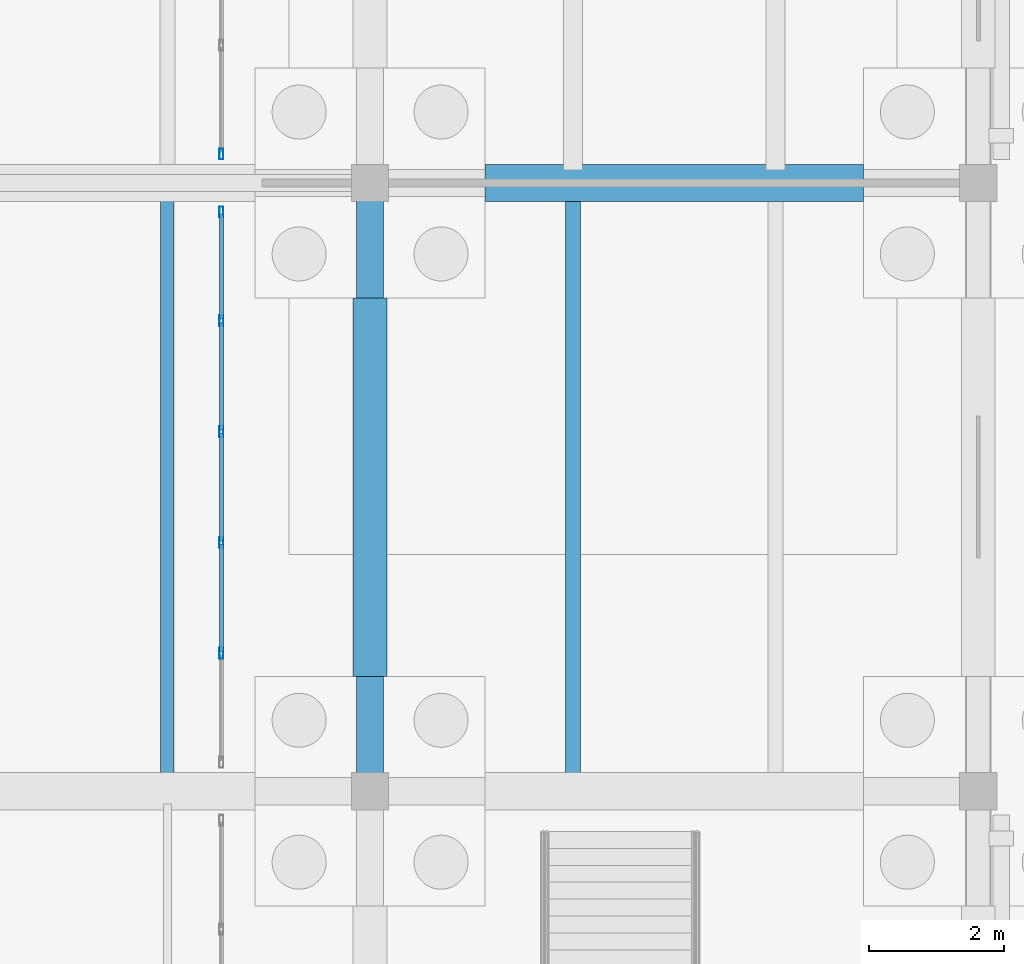
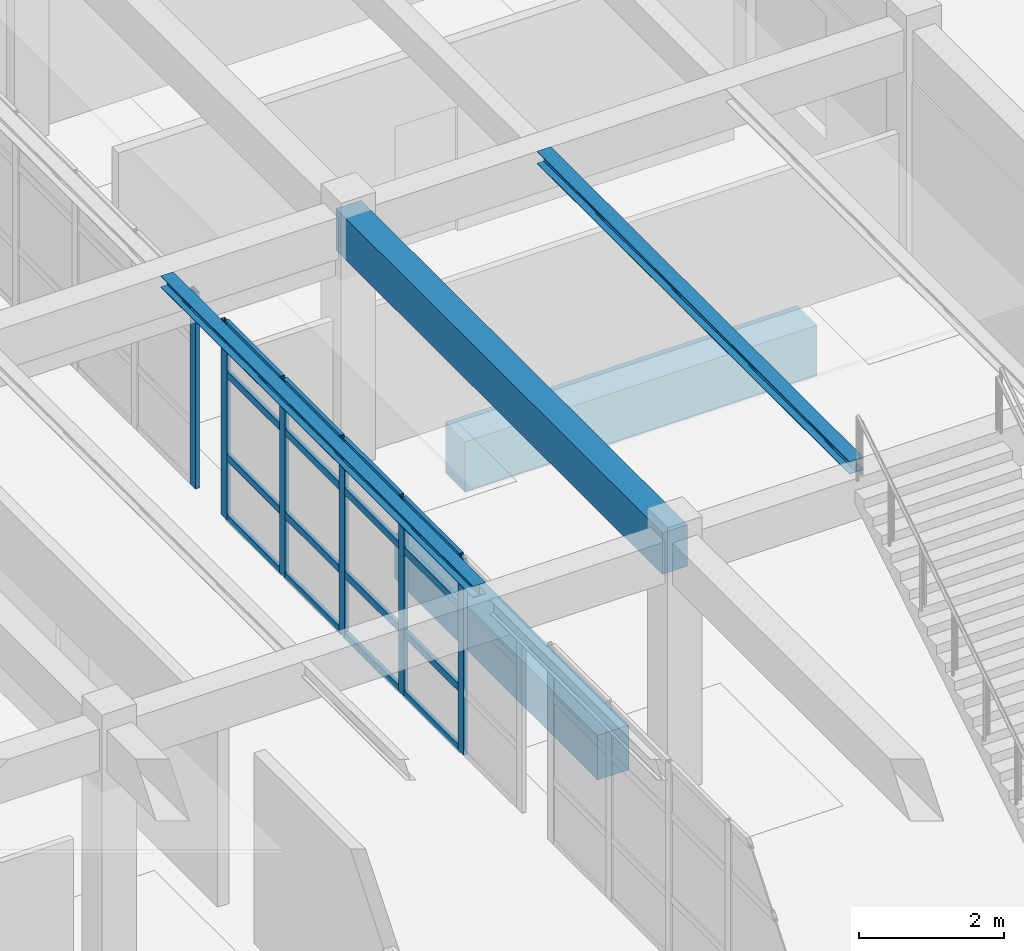
# One storey, part 49 of 186: 22 members, 5 beams, 2 elements without a shape of their own.
"""IFC4 building model written with IfcOpenShell, lengths in metres."""

from ifc_helpers import new_model, si_unit, direction, frame, origin, origin_2d, place, context, subcontext, project, spatial, rectangle, hollow_rectangle, i_section, extrude, material, layer, layer_set, material_profile, profile_set, type_object, element, aggregate, save


model = new_model("IFC4")

# Units and contexts
model_context = context("Model", 3, precision=1e-05, world=origin(), true_north=direction((0.0, 1.0)))
body_context = subcontext(model_context, "Body", "Model", "MODEL_VIEW")
ifc_project = project(units=[si_unit("LENGTHUNIT", "METRE"), si_unit("AREAUNIT", "SQUARE_METRE"), si_unit("VOLUMEUNIT", "CUBIC_METRE"), si_unit("PLANEANGLEUNIT", "RADIAN"), si_unit("MASSUNIT", "GRAM", prefix="KILO")], contexts=[model_context])

# Site, building, storey
site_placement = place(None, origin())
site = spatial("IfcSite", under=ifc_project, at=site_placement, CompositionType="ELEMENT")
building_placement = place(site_placement, origin())
building = spatial("IfcBuilding", under=site, at=building_placement, Name="Ornek Quay Market", CompositionType="ELEMENT")
storey_placement = place(building_placement, origin())
storey = spatial("IfcBuildingStorey", under=building, at=storey_placement, Name="L00", CompositionType="ELEMENT", Elevation=0.0)

# Beams
ifc_material_1 = material(Name="Concrete C35/45", Category="concrete")
ifc_material_profile_1 = material_profile(ifc_material_1, rectangle(XDim=0.5, YDim=0.75, at=origin_2d()), Name="RC 500x750", Category="concrete")
ifc_profile_set_1 = profile_set([ifc_material_profile_1], Name="Concrete C35/45")
beam_type_1 = type_object("IfcBeamType", Name="BM-GB-500x750", PredefinedType="BEAM", material=ifc_profile_set_1)
beam_1_placement = place(storey_placement, frame((18.0, 66.699951171875, -0.574951171875), z_axis=(0.0, 1.0, 0.0), x_axis=(-1.0, 0.0, 0.0)))
element("IfcBeam", 1, at=beam_1_placement, inside=storey, type_object=beam_type_1, Name="Ground tie beam GB-071", PredefinedType="BEAM", context=body_context, shape_type="SweptSolid", body=[
    extrude(rectangle(XDim=0.5, YDim=0.75, at=origin_2d()), origin(), (0.0, 0.0, 1.0), 5.60009765625),
])
ifc_material_profile_2 = material_profile(ifc_material_1, rectangle(XDim=0.550048828125, YDim=0.85009765625, at=origin_2d()), Name="RC 550x850", Category="concrete")
ifc_profile_set_2 = profile_set([ifc_material_profile_2], Name="Concrete C35/45")
beam_type_2 = type_object("IfcBeamType", Name="BM-GB-550x850", PredefinedType="BEAM", material=ifc_profile_set_2)
beam_2_placement = place(storey_placement, frame((19.699951171875, 74.0, -0.625), z_axis=(1.0, 0.0, 0.0), x_axis=(0.0, 1.0, 0.0)))
element("IfcBeam", 2, at=beam_2_placement, inside=storey, type_object=beam_type_2, Name="Ground tie beam GB-028", PredefinedType="BEAM", context=body_context, shape_type="SweptSolid", body=[
    extrude(rectangle(XDim=0.550048828125, YDim=0.85009765625, at=origin_2d()), origin(), (0.0, 0.0, 1.0), 5.60009765625),
])
ifc_material_2 = material(Name="Steel S355", Category="steel")
ifc_material_profile_3 = material_profile(ifc_material_2, i_section(OverallWidth=0.199951171875, OverallDepth=0.18994140625, WebThickness=0.006591796875, FlangeThickness=0.010009765625, FilletRadius=0.01806640625, at=origin_2d()), Name="HEA 200", Category="steel")
ifc_profile_set_3 = profile_set([ifc_material_profile_3], Name="Steel S355")
beam_type_3 = type_object("IfcBeamType", Name="BM-STL-HEA200", PredefinedType="BEAM", material=ifc_profile_set_3)
beam_3_placement = place(storey_placement, frame((15.0, 65.19189453125, 4.125), z_axis=(0.0, 1.0, 0.0), x_axis=(-1.0, 0.0, 0.0)))
element("IfcBeam", 3, at=beam_3_placement, inside=storey, type_object=beam_type_3, Name="Secondary joist SB-12-008", PredefinedType="BEAM", context=body_context, shape_type="SweptSolid", body=[
    extrude(i_section(OverallWidth=0.199951171875, OverallDepth=0.18994140625, WebThickness=0.006591796875, FlangeThickness=0.010009765625, FilletRadius=0.01806640625, at=origin_2d()), origin(), (0.0, 0.0, 1.0), 8.6162109375),
])
ifc_material_profile_4 = material_profile(ifc_material_2, i_section(OverallWidth=0.219970703125, OverallDepth=0.2099609375, WebThickness=0.007080078125, FlangeThickness=0.010986328125, FilletRadius=0.01806640625, at=origin_2d()), Name="HEA 220", Category="steel")
ifc_profile_set_4 = profile_set([ifc_material_profile_4], Name="Steel S355")
beam_type_4 = type_object("IfcBeamType", Name="BM-STL-HEA220", PredefinedType="BEAM", material=ifc_profile_set_4)
beam_4_placement = place(storey_placement, frame((21.0, 65.19189453125, 4.114990234375), z_axis=(0.0, 1.0, 0.0), x_axis=(-1.0, 0.0, 0.0)))
element("IfcBeam", 4, at=beam_4_placement, inside=storey, type_object=beam_type_4, Name="Secondary joist SB-13-011", PredefinedType="BEAM", context=body_context, shape_type="SweptSolid", body=[
    extrude(i_section(OverallWidth=0.219970703125, OverallDepth=0.2099609375, WebThickness=0.007080078125, FlangeThickness=0.010986328125, FilletRadius=0.01806640625, at=origin_2d()), origin(), (0.0, 0.0, 1.0), 8.6162109375),
])
ifc_material_profile_5 = material_profile(ifc_material_1, rectangle(XDim=0.39990234375, YDim=0.699951171875, at=origin_2d()), Name="RC 400x700", Category="concrete")
ifc_profile_set_5 = profile_set([ifc_material_profile_5], Name="Concrete C35/45")
beam_type_5 = type_object("IfcBeamType", Name="BM-WW-400x700", PredefinedType="BEAM", material=ifc_profile_set_5)
beam_5_placement = place(storey_placement, frame((18.0, 65.0, 3.8701171875), z_axis=(0.0, 1.0, 0.0), x_axis=(-1.0, 0.0, 0.0)))
element("IfcBeam", 5, at=beam_5_placement, inside=storey, type_object=beam_type_5, Name="Primary beam B-WW1-043", PredefinedType="BEAM", context=body_context, shape_type="SweptSolid", body=[
    extrude(rectangle(XDim=0.39990234375, YDim=0.699951171875, at=origin_2d()), origin(), (0.0, 0.0, 1.0), 9.0),
])

# Curtain wall, members
ifc_material_3 = material(Name="Anodised bronze aluminium and triple low-e glass", Category="aluminium")
ifc_layer = layer(ifc_material_3, 0.179931640625, Name="Anodised bronze aluminium and triple low-e glass", Category="aluminium")
ifc_layer_set = layer_set([ifc_layer], Name="Anodised bronze aluminium and triple low-e glass")
curtain_wall_type = type_object("IfcCurtainWallType", Name="CW-CONC-MOD1500", PredefinedType="USERDEFINED", material=ifc_layer_set)
curtain_wall_1_placement = place(storey_placement, origin())
curtain_wall_1 = element("IfcCurtainWall", 6, at=curtain_wall_1_placement, inside=storey, type_object=curtain_wall_type, Name="Curtain wall CW-142", ObjectType="CURTAIN WALL", PredefinedType="USERDEFINED")
ifc_material_4 = material(Name="Anodised aluminium 6063-T6", Category="aluminium")
ifc_material_profile_6 = material_profile(ifc_material_4, hollow_rectangle(XDim=0.06005859375, YDim=0.159912109375, WallThickness=0.00390625, at=origin_2d()), Name="CW-MUL-60x160", Category="aluminium")
ifc_profile_set_6 = profile_set([ifc_material_profile_6], Name="Anodised aluminium 6063-T6")
member_type_1 = type_object("IfcMemberType", Name="CW-MUL-60x160", PredefinedType="MULLION", material=ifc_profile_set_6)
member_1_placement = place(storey_placement, frame((15.800048828125, 67.0400390625, 0.0), z_axis=(0.0, 0.0, 1.0), x_axis=(-1.0, 0.0, 0.0)))
member_1 = element("IfcMember", 7, at=member_1_placement, type_object=member_type_1, Name="CW-142 mullion 2", PredefinedType="MULLION", context=body_context, shape_type="SweptSolid", body=[
    extrude(hollow_rectangle(XDim=0.06005859375, YDim=0.159912109375, WallThickness=0.00390625, at=origin_2d()), origin(), (0.0, 0.0, 1.0), 3.300048828125),
])
member_2_placement = place(storey_placement, frame((15.800048828125, 68.679931640625, 0.0), z_axis=(0.0, 0.0, 1.0), x_axis=(-1.0, 0.0, 0.0)))
member_2 = element("IfcMember", 8, at=member_2_placement, type_object=member_type_1, Name="CW-142 mullion 3", PredefinedType="MULLION", context=body_context, shape_type="SweptSolid", body=[
    extrude(hollow_rectangle(XDim=0.06005859375, YDim=0.159912109375, WallThickness=0.00390625, at=origin_2d()), origin(), (0.0, 0.0, 1.0), 3.300048828125),
])
member_3_placement = place(storey_placement, frame((15.800048828125, 70.320068359375, 0.0), z_axis=(0.0, 0.0, 1.0), x_axis=(-1.0, 0.0, 0.0)))
member_3 = element("IfcMember", 9, at=member_3_placement, type_object=member_type_1, Name="CW-142 mullion 4", PredefinedType="MULLION", context=body_context, shape_type="SweptSolid", body=[
    extrude(hollow_rectangle(XDim=0.06005859375, YDim=0.159912109375, WallThickness=0.00390625, at=origin_2d()), origin(), (0.0, 0.0, 1.0), 3.300048828125),
])
member_4_placement = place(storey_placement, frame((15.800048828125, 71.9599609375, 0.0), z_axis=(0.0, 0.0, 1.0), x_axis=(-1.0, 0.0, 0.0)))
member_4 = element("IfcMember", 10, at=member_4_placement, type_object=member_type_1, Name="CW-142 mullion 5", PredefinedType="MULLION", context=body_context, shape_type="SweptSolid", body=[
    extrude(hollow_rectangle(XDim=0.06005859375, YDim=0.159912109375, WallThickness=0.00390625, at=origin_2d()), origin(), (0.0, 0.0, 1.0), 3.300048828125),
])
member_5_placement = place(storey_placement, frame((15.800048828125, 73.570068359375, 0.0), z_axis=(0.0, 0.0, 1.0), x_axis=(-1.0, 0.0, 0.0)))
member_5 = element("IfcMember", 11, at=member_5_placement, type_object=member_type_1, Name="CW-142 mullion 6", PredefinedType="MULLION", context=body_context, shape_type="SweptSolid", body=[
    extrude(hollow_rectangle(XDim=0.06005859375, YDim=0.159912109375, WallThickness=0.00390625, at=origin_2d()), origin(), (0.0, 0.0, 1.0), 3.300048828125),
])

# Curtain wall, member
curtain_wall_2_placement = place(storey_placement, origin())
curtain_wall_2 = element("IfcCurtainWall", 12, at=curtain_wall_2_placement, inside=storey, type_object=curtain_wall_type, Name="Curtain wall CW-144", ObjectType="CURTAIN WALL", PredefinedType="USERDEFINED")
member_6_placement = place(storey_placement, frame((15.800048828125, 74.429931640625, 0.0), z_axis=(0.0, 0.0, 1.0), x_axis=(-1.0, 0.0, 0.0)))
member_6 = element("IfcMember", 13, at=member_6_placement, type_object=member_type_1, Name="CW-144 mullion 1", PredefinedType="MULLION", context=body_context, shape_type="SweptSolid", body=[
    extrude(hollow_rectangle(XDim=0.06005859375, YDim=0.159912109375, WallThickness=0.00390625, at=origin_2d()), origin(), (0.0, 0.0, 1.0), 3.300048828125),
])
aggregate(curtain_wall_2, [member_6])

# Member
ifc_material_profile_7 = material_profile(ifc_material_4, hollow_rectangle(XDim=0.06005859375, YDim=0.1201171875, WallThickness=0.00390625, at=origin_2d()), Name="CW-TRN-60x120", Category="aluminium")
ifc_profile_set_7 = profile_set([ifc_material_profile_7], Name="Anodised aluminium 6063-T6")
member_type_2 = type_object("IfcMemberType", Name="CW-TRN-60x120", PredefinedType="USERDEFINED", material=ifc_profile_set_7)
member_7_placement = place(storey_placement, frame((15.800048828125, 67.070068359375, 0.030029296875), z_axis=(0.0, 1.0, 0.0), x_axis=(-1.0, 0.0, 0.0)))
member_7 = element("IfcMember", 14, at=member_7_placement, type_object=member_type_2, Name="CW-142 transom 2.1", ObjectType="TRANSOM", PredefinedType="USERDEFINED", context=body_context, shape_type="SweptSolid", body=[
    extrude(hollow_rectangle(XDim=0.06005859375, YDim=0.1201171875, WallThickness=0.00390625, at=origin_2d()), origin(), (0.0, 0.0, 1.0), 1.579833984375),
])

member_8_placement = place(storey_placement, frame((15.800048828125, 67.070068359375, 1.050048828125), z_axis=(0.0, 1.0, 0.0), x_axis=(-1.0, 0.0, 0.0)))
member_8 = element("IfcMember", 15, at=member_8_placement, type_object=member_type_2, Name="CW-142 transom 2.2", ObjectType="TRANSOM", PredefinedType="USERDEFINED", context=body_context, shape_type="SweptSolid", body=[
    extrude(hollow_rectangle(XDim=0.06005859375, YDim=0.1201171875, WallThickness=0.00390625, at=origin_2d()), origin(), (0.0, 0.0, 1.0), 1.579833984375),
])

member_9_placement = place(storey_placement, frame((15.800048828125, 67.070068359375, 2.449951171875), z_axis=(0.0, 1.0, 0.0), x_axis=(-1.0, 0.0, 0.0)))
member_9 = element("IfcMember", 16, at=member_9_placement, type_object=member_type_2, Name="CW-142 transom 2.3", ObjectType="TRANSOM", PredefinedType="USERDEFINED", context=body_context, shape_type="SweptSolid", body=[
    extrude(hollow_rectangle(XDim=0.06005859375, YDim=0.1201171875, WallThickness=0.00390625, at=origin_2d()), origin(), (0.0, 0.0, 1.0), 1.579833984375),
])

member_10_placement = place(storey_placement, frame((15.800048828125, 67.070068359375, 3.27001953125), z_axis=(0.0, 1.0, 0.0), x_axis=(-1.0, 0.0, 0.0)))
member_10 = element("IfcMember", 17, at=member_10_placement, type_object=member_type_2, Name="CW-142 transom 2.4", ObjectType="TRANSOM", PredefinedType="USERDEFINED", context=body_context, shape_type="SweptSolid", body=[
    extrude(hollow_rectangle(XDim=0.06005859375, YDim=0.1201171875, WallThickness=0.00390625, at=origin_2d()), origin(), (0.0, 0.0, 1.0), 1.579833984375),
])

member_11_placement = place(storey_placement, frame((15.800048828125, 68.7099609375, 0.030029296875), z_axis=(0.0, 1.0, 0.0), x_axis=(-1.0, 0.0, 0.0)))
member_11 = element("IfcMember", 18, at=member_11_placement, type_object=member_type_2, Name="CW-142 transom 3.1", ObjectType="TRANSOM", PredefinedType="USERDEFINED", context=body_context, shape_type="SweptSolid", body=[
    extrude(hollow_rectangle(XDim=0.06005859375, YDim=0.1201171875, WallThickness=0.00390625, at=origin_2d()), origin(), (0.0, 0.0, 1.0), 1.580078125),
])

member_12_placement = place(storey_placement, frame((15.800048828125, 68.7099609375, 1.050048828125), z_axis=(0.0, 1.0, 0.0), x_axis=(-1.0, 0.0, 0.0)))
member_12 = element("IfcMember", 19, at=member_12_placement, type_object=member_type_2, Name="CW-142 transom 3.2", ObjectType="TRANSOM", PredefinedType="USERDEFINED", context=body_context, shape_type="SweptSolid", body=[
    extrude(hollow_rectangle(XDim=0.06005859375, YDim=0.1201171875, WallThickness=0.00390625, at=origin_2d()), origin(), (0.0, 0.0, 1.0), 1.580078125),
])

member_13_placement = place(storey_placement, frame((15.800048828125, 68.7099609375, 2.449951171875), z_axis=(0.0, 1.0, 0.0), x_axis=(-1.0, 0.0, 0.0)))
member_13 = element("IfcMember", 20, at=member_13_placement, type_object=member_type_2, Name="CW-142 transom 3.3", ObjectType="TRANSOM", PredefinedType="USERDEFINED", context=body_context, shape_type="SweptSolid", body=[
    extrude(hollow_rectangle(XDim=0.06005859375, YDim=0.1201171875, WallThickness=0.00390625, at=origin_2d()), origin(), (0.0, 0.0, 1.0), 1.580078125),
])

member_14_placement = place(storey_placement, frame((15.800048828125, 68.7099609375, 3.27001953125), z_axis=(0.0, 1.0, 0.0), x_axis=(-1.0, 0.0, 0.0)))
member_14 = element("IfcMember", 21, at=member_14_placement, type_object=member_type_2, Name="CW-142 transom 3.4", ObjectType="TRANSOM", PredefinedType="USERDEFINED", context=body_context, shape_type="SweptSolid", body=[
    extrude(hollow_rectangle(XDim=0.06005859375, YDim=0.1201171875, WallThickness=0.00390625, at=origin_2d()), origin(), (0.0, 0.0, 1.0), 1.580078125),
])

member_15_placement = place(storey_placement, frame((15.800048828125, 70.35009765625, 0.030029296875), z_axis=(0.0, 1.0, 0.0), x_axis=(-1.0, 0.0, 0.0)))
member_15 = element("IfcMember", 22, at=member_15_placement, type_object=member_type_2, Name="CW-142 transom 4.1", ObjectType="TRANSOM", PredefinedType="USERDEFINED", context=body_context, shape_type="SweptSolid", body=[
    extrude(hollow_rectangle(XDim=0.06005859375, YDim=0.1201171875, WallThickness=0.00390625, at=origin_2d()), origin(), (0.0, 0.0, 1.0), 1.579833984375),
])

member_16_placement = place(storey_placement, frame((15.800048828125, 70.35009765625, 1.050048828125), z_axis=(0.0, 1.0, 0.0), x_axis=(-1.0, 0.0, 0.0)))
member_16 = element("IfcMember", 23, at=member_16_placement, type_object=member_type_2, Name="CW-142 transom 4.2", ObjectType="TRANSOM", PredefinedType="USERDEFINED", context=body_context, shape_type="SweptSolid", body=[
    extrude(hollow_rectangle(XDim=0.06005859375, YDim=0.1201171875, WallThickness=0.00390625, at=origin_2d()), origin(), (0.0, 0.0, 1.0), 1.579833984375),
])

member_17_placement = place(storey_placement, frame((15.800048828125, 70.35009765625, 2.449951171875), z_axis=(0.0, 1.0, 0.0), x_axis=(-1.0, 0.0, 0.0)))
member_17 = element("IfcMember", 24, at=member_17_placement, type_object=member_type_2, Name="CW-142 transom 4.3", ObjectType="TRANSOM", PredefinedType="USERDEFINED", context=body_context, shape_type="SweptSolid", body=[
    extrude(hollow_rectangle(XDim=0.06005859375, YDim=0.1201171875, WallThickness=0.00390625, at=origin_2d()), origin(), (0.0, 0.0, 1.0), 1.579833984375),
])

member_18_placement = place(storey_placement, frame((15.800048828125, 70.35009765625, 3.27001953125), z_axis=(0.0, 1.0, 0.0), x_axis=(-1.0, 0.0, 0.0)))
member_18 = element("IfcMember", 25, at=member_18_placement, type_object=member_type_2, Name="CW-142 transom 4.4", ObjectType="TRANSOM", PredefinedType="USERDEFINED", context=body_context, shape_type="SweptSolid", body=[
    extrude(hollow_rectangle(XDim=0.06005859375, YDim=0.1201171875, WallThickness=0.00390625, at=origin_2d()), origin(), (0.0, 0.0, 1.0), 1.579833984375),
])

member_19_placement = place(storey_placement, frame((15.800048828125, 71.989990234375, 0.030029296875), z_axis=(0.0, 1.0, 0.0), x_axis=(-1.0, 0.0, 0.0)))
member_19 = element("IfcMember", 26, at=member_19_placement, type_object=member_type_2, Name="CW-142 transom 5.1", ObjectType="TRANSOM", PredefinedType="USERDEFINED", context=body_context, shape_type="SweptSolid", body=[
    extrude(hollow_rectangle(XDim=0.06005859375, YDim=0.1201171875, WallThickness=0.00390625, at=origin_2d()), origin(), (0.0, 0.0, 1.0), 1.550048828125),
])

member_20_placement = place(storey_placement, frame((15.800048828125, 71.989990234375, 1.050048828125), z_axis=(0.0, 1.0, 0.0), x_axis=(-1.0, 0.0, 0.0)))
member_20 = element("IfcMember", 27, at=member_20_placement, type_object=member_type_2, Name="CW-142 transom 5.2", ObjectType="TRANSOM", PredefinedType="USERDEFINED", context=body_context, shape_type="SweptSolid", body=[
    extrude(hollow_rectangle(XDim=0.06005859375, YDim=0.1201171875, WallThickness=0.00390625, at=origin_2d()), origin(), (0.0, 0.0, 1.0), 1.550048828125),
])

member_21_placement = place(storey_placement, frame((15.800048828125, 71.989990234375, 2.449951171875), z_axis=(0.0, 1.0, 0.0), x_axis=(-1.0, 0.0, 0.0)))
member_21 = element("IfcMember", 28, at=member_21_placement, type_object=member_type_2, Name="CW-142 transom 5.3", ObjectType="TRANSOM", PredefinedType="USERDEFINED", context=body_context, shape_type="SweptSolid", body=[
    extrude(hollow_rectangle(XDim=0.06005859375, YDim=0.1201171875, WallThickness=0.00390625, at=origin_2d()), origin(), (0.0, 0.0, 1.0), 1.550048828125),
])

member_22_placement = place(storey_placement, frame((15.800048828125, 71.989990234375, 3.27001953125), z_axis=(0.0, 1.0, 0.0), x_axis=(-1.0, 0.0, 0.0)))
member_22 = element("IfcMember", 29, at=member_22_placement, type_object=member_type_2, Name="CW-142 transom 5.4", ObjectType="TRANSOM", PredefinedType="USERDEFINED", context=body_context, shape_type="SweptSolid", body=[
    extrude(hollow_rectangle(XDim=0.06005859375, YDim=0.1201171875, WallThickness=0.00390625, at=origin_2d()), origin(), (0.0, 0.0, 1.0), 1.550048828125),
])

aggregate(curtain_wall_1, [member_1, member_2, member_3, member_4, member_5, member_7, member_8, member_9, member_10, member_11, member_12, member_13, member_14, member_15, member_16, member_17, member_18, member_19, member_20, member_21, member_22])

save(model, "model.ifc")
